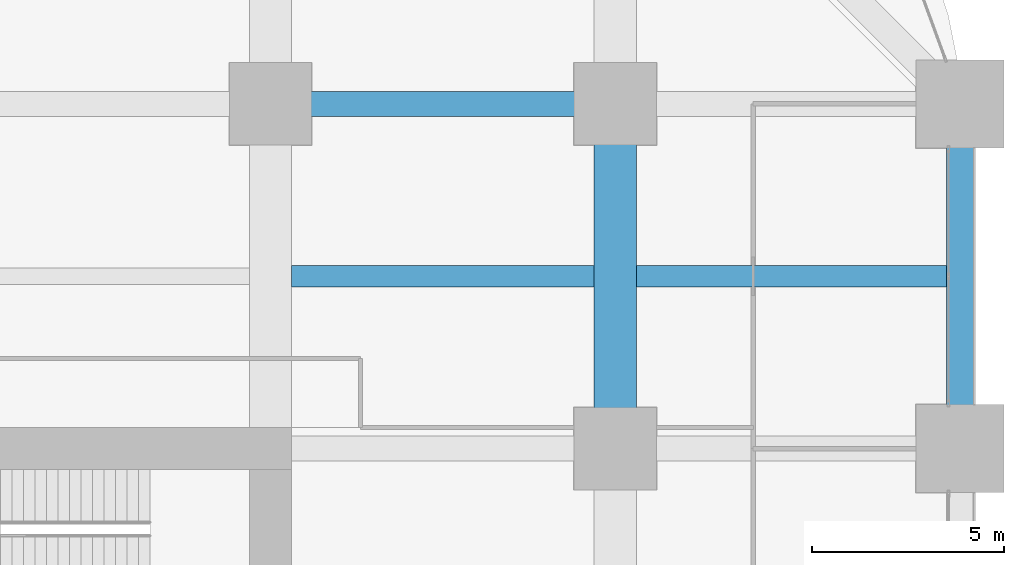
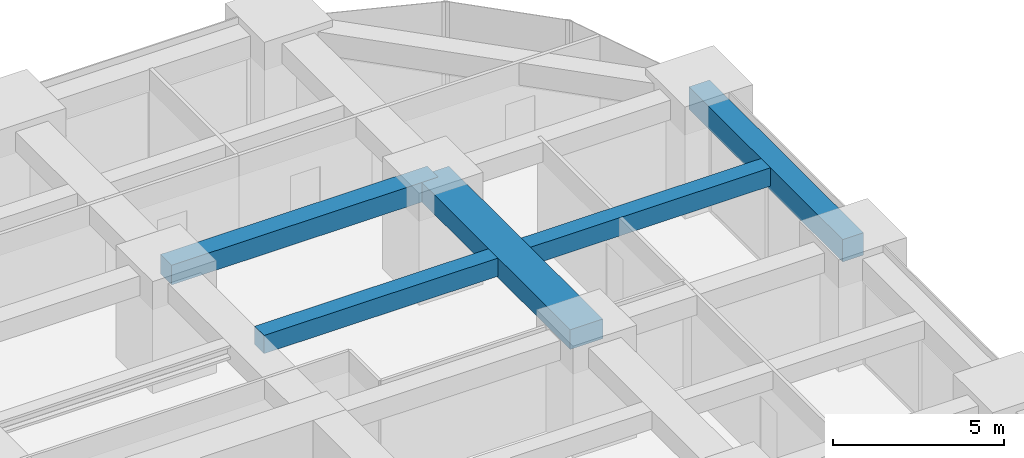
# One storey, part 33 of 44: 5 beams.
"""IFC4 building model written with IfcOpenShell, lengths in metres."""

from ifc_helpers import new_model, si_unit, direction, frame, origin, origin_2d, place, context, subcontext, project, spatial, rectangle, extrude, material, material_profile, profile_set, type_object, element, save


model = new_model("IFC4")

# Units and contexts
model_context = context("Model", 3, precision=1e-05, world=origin(), true_north=direction((0.0, 1.0)))
body_context = subcontext(model_context, "Body", "Model", "MODEL_VIEW")
ifc_project = project(units=[si_unit("LENGTHUNIT", "METRE"), si_unit("AREAUNIT", "SQUARE_METRE"), si_unit("VOLUMEUNIT", "CUBIC_METRE"), si_unit("PLANEANGLEUNIT", "RADIAN"), si_unit("MASSUNIT", "GRAM", prefix="KILO")], contexts=[model_context])

# Site, building, storey
site_placement = place(None, origin())
site = spatial("IfcSite", under=ifc_project, at=site_placement, CompositionType="ELEMENT")
building_placement = place(site_placement, origin())
building = spatial("IfcBuilding", under=site, at=building_placement, Name="Zorevar Civic Tower", CompositionType="ELEMENT")
storey_placement = place(building_placement, frame((0.0, 0.0, 51.800048828125)))
storey = spatial("IfcBuildingStorey", under=building, at=storey_placement, Name="L12", CompositionType="ELEMENT", Elevation=51.800048828125)

# Beams
ifc_material_1 = material(Name="Concrete C50/60", Category="concrete")
ifc_material_profile_1 = material_profile(ifc_material_1, rectangle(XDim=1.10009765625, YDim=0.699951171875, at=origin_2d()), Name="RC 1100x700")
ifc_profile_set_1 = profile_set([ifc_material_profile_1], Name="Concrete C50/60")
beam_type_1 = type_object("IfcBeamType", Name="Beam RC 1100x700", PredefinedType="BEAM", material=ifc_profile_set_1)
beam_1_placement = place(storey_placement, frame((54.0, 36.0, 3.39990234375), z_axis=(0.0, 1.0, 0.0), x_axis=(-1.0, 0.0, 0.0)))
element("IfcBeam", 1, at=beam_1_placement, inside=storey, type_object=beam_type_1, Name="Girder L13", PredefinedType="BEAM", context=body_context, shape_type="SweptSolid", body=[
    extrude(rectangle(XDim=1.10009765625, YDim=0.699951171875, at=origin_2d()), origin(), (0.0, 0.0, 1.0), 9.0),
])
ifc_material_2 = material(Name="Concrete C50/60", Category="concrete")
ifc_material_profile_2 = material_profile(ifc_material_2, rectangle(XDim=0.550048828125, YDim=0.64990234375, at=origin_2d()), Name="RC 550x650")
ifc_profile_set_2 = profile_set([ifc_material_profile_2], Name="Concrete C50/60")
beam_type_2 = type_object("IfcBeamType", Name="Beam RC 550x650", PredefinedType="BEAM", material=ifc_profile_set_2)
beam_2_placement = place(storey_placement, frame((45.550048828125, 40.5, 3.425048828125), z_axis=(1.0, 0.0, 0.0), x_axis=(0.0, 1.0, 0.0)))
element("IfcBeam", 2, at=beam_2_placement, inside=storey, type_object=beam_type_2, Name="Secondary beam L13", PredefinedType="BEAM", context=body_context, shape_type="SweptSolid", body=[
    extrude(rectangle(XDim=0.550048828125, YDim=0.64990234375, at=origin_2d()), origin(), (0.0, 0.0, 1.0), 7.89990234375),
])
beam_3_placement = place(storey_placement, frame((54.550048828125, 40.5, 3.425048828125), z_axis=(1.0, 0.0, 0.0), x_axis=(0.0, 1.0, 0.0)))
element("IfcBeam", 3, at=beam_3_placement, inside=storey, type_object=beam_type_2, Name="Secondary beam L13", PredefinedType="BEAM", context=body_context, shape_type="SweptSolid", body=[
    extrude(rectangle(XDim=0.550048828125, YDim=0.64990234375, at=origin_2d()), origin(), (0.0, 0.0, 1.0), 8.099853515625),
])
ifc_material_3 = material(Name="Concrete C50/60", Category="concrete")
ifc_material_profile_3 = material_profile(ifc_material_3, rectangle(XDim=0.64990234375, YDim=0.699951171875, at=origin_2d()), Name="RC 650x700")
ifc_profile_set_3 = profile_set([ifc_material_profile_3], Name="Concrete C50/60")
beam_type_3 = type_object("IfcBeamType", Name="Beam RC 650x700", PredefinedType="BEAM", material=ifc_profile_set_3)
beam_4_placement = place(storey_placement, frame((45.0, 45.0, 3.39990234375), z_axis=(1.0, 0.0, 0.0), x_axis=(0.0, 1.0, 0.0)))
element("IfcBeam", 4, at=beam_4_placement, inside=storey, type_object=beam_type_3, Name="Girder L13", PredefinedType="BEAM", context=body_context, shape_type="SweptSolid", body=[
    extrude(rectangle(XDim=0.64990234375, YDim=0.699951171875, at=origin_2d()), origin(), (0.0, 0.0, 1.0), 9.0),
])
ifc_material_4 = material(Name="Concrete C50/60", Category="concrete")
ifc_material_profile_4 = material_profile(ifc_material_4, rectangle(XDim=0.699951171875, YDim=0.800048828125, at=origin_2d()), Name="RC 700x800")
ifc_profile_set_4 = profile_set([ifc_material_profile_4], Name="Concrete C50/60")
beam_type_4 = type_object("IfcBeamType", Name="Edge beam RC 700x800", PredefinedType="SPANDREL", material=ifc_profile_set_4)
beam_5_placement = place(storey_placement, frame((63.0, 36.0, 3.349853515625), z_axis=(0.0, 1.0, 0.0), x_axis=(-1.0, 0.0, 0.0)))
element("IfcBeam", 5, at=beam_5_placement, inside=storey, type_object=beam_type_4, Name="Edge beam L13", PredefinedType="SPANDREL", context=body_context, shape_type="SweptSolid", body=[
    extrude(rectangle(XDim=0.699951171875, YDim=0.800048828125, at=origin_2d()), origin(), (0.0, 0.0, 1.0), 9.0),
])

save(model, "model.ifc")
